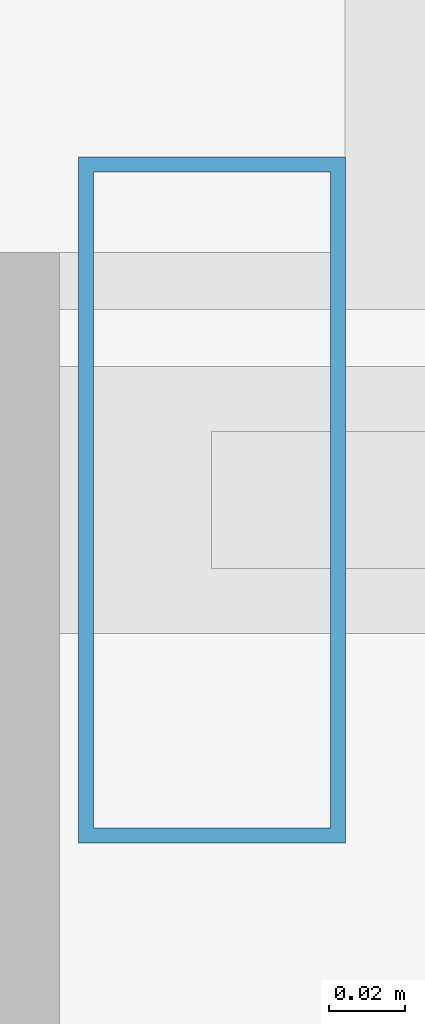
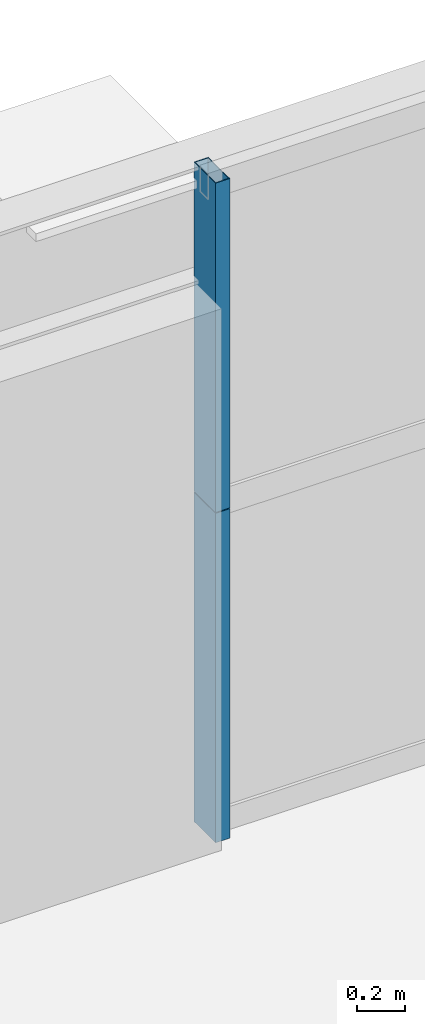
# One storey, part 25 of 43: 2 members, 1 element without a shape of its own.
"""IFC4 building model written with IfcOpenShell, lengths in metres."""

from ifc_helpers import new_model, si_unit, direction, frame, origin, origin_2d, place, context, subcontext, project, spatial, hollow_rectangle, extrude, source, transform, mapped, material, layer, layer_set, material_profile, profile_set, type_object, element, aggregate, save


model = new_model("IFC4")

# Units and contexts
model_context = context("Model", 3, precision=1e-05, world=origin(), true_north=direction((0.0, 1.0)))
body_context = subcontext(model_context, "Body", "Model", "MODEL_VIEW")
ifc_project = project(units=[si_unit("LENGTHUNIT", "METRE"), si_unit("AREAUNIT", "SQUARE_METRE"), si_unit("VOLUMEUNIT", "CUBIC_METRE"), si_unit("PLANEANGLEUNIT", "RADIAN"), si_unit("MASSUNIT", "GRAM", prefix="KILO"), si_unit("THERMODYNAMICTEMPERATUREUNIT", "KELVIN"), si_unit("POWERUNIT", "WATT")], contexts=[model_context])

# Site, building, storey
site_placement = place(None, origin())
site = spatial("IfcSite", under=ifc_project, at=site_placement, CompositionType="ELEMENT")
building_placement = place(site_placement, origin())
building = spatial("IfcBuilding", under=site, at=building_placement, Name="Yuzanri Waterfront Tower", CompositionType="ELEMENT")
storey_placement = place(building_placement, frame((0.0, 0.0, 71.199951171875)))
storey = spatial("IfcBuildingStorey", under=building, at=storey_placement, Name="L18", CompositionType="ELEMENT", Elevation=71.199951171875)

# Curtain wall, members
ifc_material_1 = material(Name="Anodized Architectural Bronze", Category="metal")
ifc_layer = layer(ifc_material_1, 0.159912109375)
ifc_layer_set = layer_set([ifc_layer], Name="Anodized Architectural Bronze")
curtain_wall_type = type_object("IfcCurtainWallType", Name="Anodized Bronze Hotel Lower-Tier Recessed Unitized Curtain Wall 8100", PredefinedType="NOTDEFINED", material=ifc_layer_set)
curtain_wall_placement = place(storey_placement, origin())
curtain_wall = element("IfcCurtainWall", 1, at=curtain_wall_placement, inside=storey, type_object=curtain_wall_type, Name="L18 Curtain Wall CW-L18-NL", PredefinedType="NOTDEFINED")
ifc_material_2 = material(Name="Anodized Architectural Bronze", Category="metal")
ifc_material_profile = material_profile(ifc_material_2, hollow_rectangle(XDim=0.070068359375, YDim=0.179931640625, WallThickness=0.00390625, at=origin_2d()), Name="CWM 70x180")
ifc_profile_set = profile_set([ifc_material_profile], Name="Anodized Architectural Bronze")
member_type = type_object("IfcMemberType", Name="Anodized Bronze Standard Curtain-Wall Mullion 70x180", PredefinedType="MULLION", material=ifc_profile_set)
shared_shape = source(origin(), body_context, "Body", "SweptSolid", [
    extrude(hollow_rectangle(XDim=0.070068359375, YDim=0.179931640625, WallThickness=0.00390625, at=origin_2d()), origin(), (0.0, 0.0, 1.0), 1.68798828125),
])
member_1_placement = place(storey_placement, frame((19.2900390625, 50.75, 0.0), z_axis=(0.0, 0.0, 1.0), x_axis=(1.0, 0.0, 0.0)))
member_1 = element("IfcMember", 2, at=member_1_placement, type_object=member_type, Name="CW-L18-NL Lower Mullion 00", PredefinedType="MULLION", context=body_context, shape_type="MappedRepresentation", body=[
    mapped(shared_shape, transform((0.0, 0.0, 0.0), scale=1.0)),
])
member_2_placement = place(storey_placement, frame((19.2900390625, 50.75, 1.692138671875), z_axis=(0.0, 0.0, 1.0), x_axis=(1.0, 0.0, 0.0)))
member_2 = element("IfcMember", 3, at=member_2_placement, type_object=member_type, Name="CW-L18-NL Upper Mullion 00", PredefinedType="MULLION", context=body_context, shape_type="MappedRepresentation", body=[
    mapped(shared_shape, transform((0.0, 0.0, 0.0), scale=1.0)),
])
aggregate(curtain_wall, [member_1, member_2])

save(model, "model.ifc")
